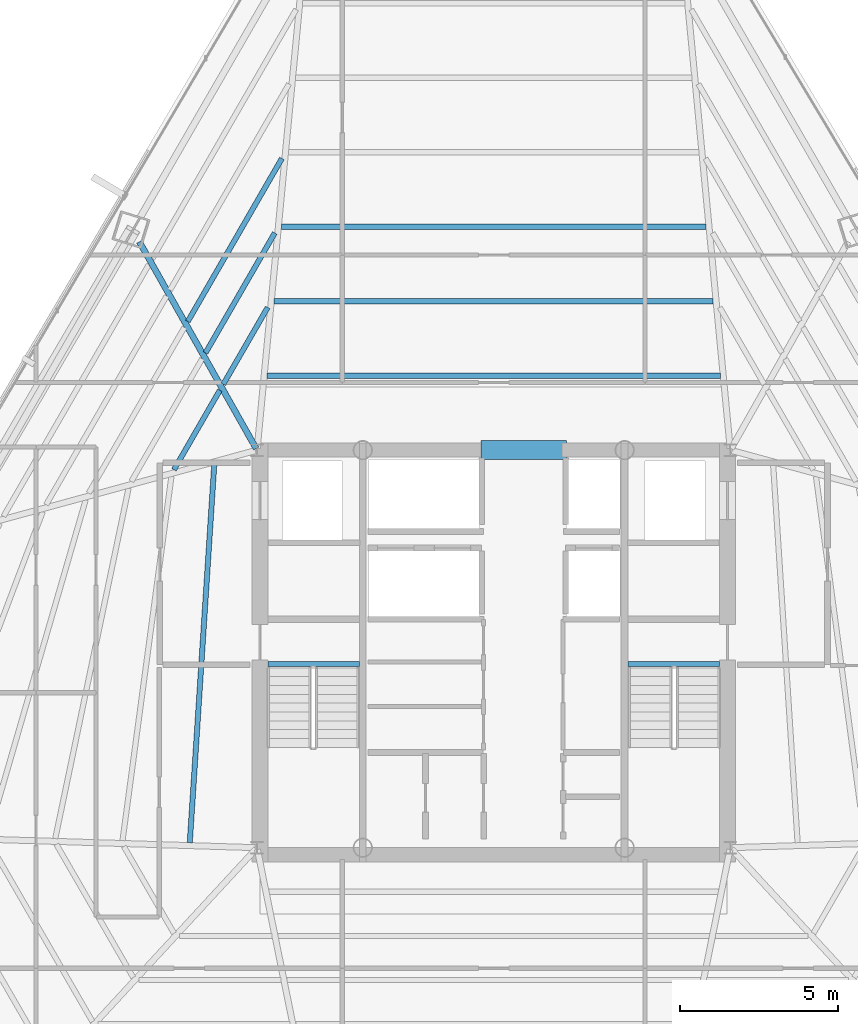
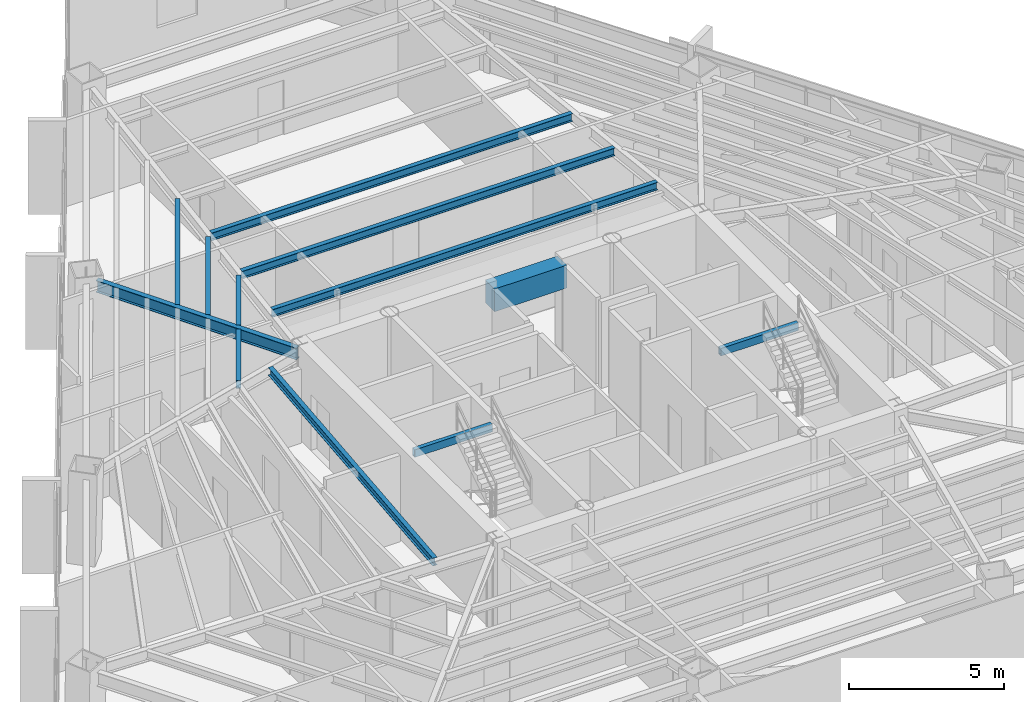
# One storey, part 15 of 41: 12 beams.
"""IFC4 building model written with IfcOpenShell, lengths in metres."""

from ifc_helpers import new_model, si_unit, direction, frame, origin, origin_2d, place, context, subcontext, project, spatial, rectangle, hollow_rectangle, i_section, extrude, source, transform, mapped, material, material_profile, profile_set, type_object, type_shapes, element, save


model = new_model("IFC4")

# Units and contexts
model_context = context("Model", 3, precision=1e-05, world=origin(), true_north=direction((0.0, 1.0)))
body_context = subcontext(model_context, "Body", "Model", "MODEL_VIEW")
ifc_project = project(units=[si_unit("LENGTHUNIT", "METRE"), si_unit("AREAUNIT", "SQUARE_METRE"), si_unit("VOLUMEUNIT", "CUBIC_METRE"), si_unit("PLANEANGLEUNIT", "RADIAN"), si_unit("MASSUNIT", "GRAM", prefix="KILO")], contexts=[model_context])

# Site, building, storey
site_placement = place(None, origin())
site = spatial("IfcSite", under=ifc_project, at=site_placement, CompositionType="ELEMENT")
building_placement = place(site_placement, origin())
building = spatial("IfcBuilding", under=site, at=building_placement, Name="Caelisora Broadcast Tower", CompositionType="ELEMENT")
storey_placement = place(building_placement, frame((0.0, 0.0, 165.800048828125)))
storey = spatial("IfcBuildingStorey", under=building, at=storey_placement, Name="L43", CompositionType="ELEMENT", Elevation=165.800048828125)

# Beams
ifc_material_1 = material(Name="Steel Grade 350 (AS/NZS 1163 C350L0)", Category="steel")
ifc_material_profile_1 = material_profile(ifc_material_1, hollow_rectangle(XDim=0.14990234375, YDim=0.300048828125, WallThickness=0.010009765625, at=origin_2d()), Name="Steel Grade 350 (AS/NZS 1163 C350L0)")
ifc_profile_set_1 = profile_set([ifc_material_profile_1], Name="Steel Grade 350 (AS/NZS 1163 C350L0)")
beam_type_1 = type_object("IfcBeamType", Name="SB05", PredefinedType="JOIST", material=ifc_profile_set_1)
shared_shape_1 = source(origin(), body_context, "Body", "SweptSolid", [
    extrude(hollow_rectangle(XDim=0.14990234375, YDim=0.300048828125, WallThickness=0.010009765625, at=origin_2d()), origin(), (0.0, 0.0, 1.0), 2.89990234375),
])
type_shapes(beam_type_1, [shared_shape_1])
for number, where, z_axis, x_axis, name in (
    (1, (30.840087890625, 23.219970703125, 3.25), (1.0, 0.0, 0.0), (0.0, 1.0, 0.0), "L43 beam SB05"),
    (2, (42.260009765625, 23.219970703125, 3.25), (1.0, 0.0, 0.0), (0.0, 1.0, 0.0), "L43 beam SB05"),
):
    element("IfcBeam", number, at=place(storey_placement, frame(where, z_axis=z_axis, x_axis=x_axis)), inside=storey, type_object=beam_type_1, Name=name, PredefinedType="JOIST", context=body_context, shape_type="MappedRepresentation", body=[
        mapped(shared_shape_1, transform((0.0, 0.0, 0.0), scale=1.0)),
    ])
ifc_material_2 = material(Name="Concrete 50 MPa (AS 3600 S50)", Category="concrete")
ifc_material_profile_2 = material_profile(ifc_material_2, rectangle(XDim=0.60009765625, YDim=0.89990234375, at=origin_2d()), Name="Concrete 50 MPa (AS 3600 S50)")
ifc_profile_set_2 = profile_set([ifc_material_profile_2], Name="Concrete 50 MPa (AS 3600 S50)")
beam_type_2 = type_object("IfcBeamType", Name="CB02", PredefinedType="LINTEL", material=ifc_profile_set_2)
shared_shape_2 = source(origin(), body_context, "Body", "SweptSolid", [
    extrude(rectangle(XDim=0.60009765625, YDim=0.89990234375, at=origin_2d()), origin(), (0.0, 0.0, 1.0), 2.699951171875),
])
type_shapes(beam_type_2, [shared_shape_2])
beam_1_placement = place(storey_placement, frame((37.60009765625, 30.0, 2.949951171875), z_axis=(1.0, 0.0, 0.0), x_axis=(0.0, 1.0, 0.0)))
element("IfcBeam", 3, at=beam_1_placement, inside=storey, type_object=beam_type_2, Name="L43 beam CB02", PredefinedType="LINTEL", context=body_context, shape_type="MappedRepresentation", body=[
    mapped(shared_shape_2, transform((0.0, 0.0, 0.0), scale=1.0)),
])
ifc_material_3 = material(Name="Steel Grade 350 (AS/NZS 3679.1)", Category="steel")
ifc_material_profile_3 = material_profile(ifc_material_3, i_section(OverallWidth=0.19091796875, OverallDepth=0.46044921875, WebThickness=0.010009765625, FlangeThickness=0.01611328125, at=origin_2d()), Name="Steel Grade 350 (AS/NZS 3679.1)")
ifc_profile_set_3 = profile_set([ifc_material_profile_3], Name="Steel Grade 350 (AS/NZS 3679.1)")
beam_type_3 = type_object("IfcBeamType", Name="PG06", PredefinedType="BEAM", material=ifc_profile_set_3)
shared_shape_3 = source(origin(), body_context, "Body", "SweptSolid", [
    extrude(i_section(OverallWidth=0.19091796875, OverallDepth=0.46044921875, WebThickness=0.010009765625, FlangeThickness=0.01611328125, at=origin_2d()), origin(), (0.0, 0.0, 1.0), 7.525634765625),
])
type_shapes(beam_type_3, [shared_shape_3])
beam_2_placement = place(storey_placement, frame((30.470458984375, 30.05224609375, 3.169677734375), z_axis=(-0.491800684378, 0.870707807962, 0.0), x_axis=(-0.870707807962, -0.491800684378, 0.0)))
element("IfcBeam", 4, at=beam_2_placement, inside=storey, type_object=beam_type_3, Name="L43 beam PG06", PredefinedType="BEAM", context=body_context, shape_type="MappedRepresentation", body=[
    mapped(shared_shape_3, transform((0.0, 0.0, 0.0), scale=1.0)),
])
ifc_material_profile_4 = material_profile(ifc_material_3, i_section(OverallWidth=0.166015625, OverallDepth=0.30712890625, WebThickness=0.006591796875, FlangeThickness=0.01171875, at=origin_2d()), Name="Steel Grade 350 (AS/NZS 3679.1)")
ifc_profile_set_4 = profile_set([ifc_material_profile_4], Name="Steel Grade 350 (AS/NZS 3679.1)")
beam_type_4 = type_object("IfcBeamType", Name="SB03", PredefinedType="JOIST", material=ifc_profile_set_4)
shared_shape_4 = source(origin(), body_context, "Body", "SweptSolid", [
    extrude(i_section(OverallWidth=0.166015625, OverallDepth=0.30712890625, WebThickness=0.006591796875, FlangeThickness=0.01171875, at=origin_2d()), origin(), (0.0, 0.0, 1.0), 14.36376953125),
])
beam_3_placement = place(storey_placement, frame((45.181884765625, 32.360107421875, 3.246337890625), z_axis=(-1.0, 0.0, 0.0), x_axis=(0.0, -1.0, 0.0)))
element("IfcBeam", 5, at=beam_3_placement, inside=storey, type_object=beam_type_4, Name="L43 beam SB03", PredefinedType="JOIST", context=body_context, shape_type="MappedRepresentation", body=[
    mapped(shared_shape_4, transform((0.0, 0.0, 0.0), scale=1.0)),
])
shared_shape_5 = source(origin(), body_context, "Body", "SweptSolid", [
    extrude(i_section(OverallWidth=0.166015625, OverallDepth=0.30712890625, WebThickness=0.006591796875, FlangeThickness=0.01171875, at=origin_2d()), origin(), (0.0, 0.0, 1.0), 13.9130859375),
])
beam_4_placement = place(storey_placement, frame((44.95654296875, 34.720458984375, 3.246337890625), z_axis=(-1.0, 0.0, 0.0), x_axis=(0.0, -1.0, 0.0)))
element("IfcBeam", 6, at=beam_4_placement, inside=storey, type_object=beam_type_4, Name="L43 beam SB03", PredefinedType="JOIST", context=body_context, shape_type="MappedRepresentation", body=[
    mapped(shared_shape_5, transform((0.0, 0.0, 0.0), scale=1.0)),
])
shared_shape_6 = source(origin(), body_context, "Body", "SweptSolid", [
    extrude(i_section(OverallWidth=0.166015625, OverallDepth=0.30712890625, WebThickness=0.006591796875, FlangeThickness=0.01171875, at=origin_2d()), origin(), (0.0, 0.0, 1.0), 13.46240234375),
])
beam_5_placement = place(storey_placement, frame((44.731201171875, 37.080810546875, 3.246337890625), z_axis=(-1.0, 0.0, 0.0), x_axis=(0.0, -1.0, 0.0)))
element("IfcBeam", 7, at=beam_5_placement, inside=storey, type_object=beam_type_4, Name="L43 beam SB03", PredefinedType="JOIST", context=body_context, shape_type="MappedRepresentation", body=[
    mapped(shared_shape_6, transform((0.0, 0.0, 0.0), scale=1.0)),
])
shared_shape_7 = source(origin(), body_context, "Body", "SweptSolid", [
    extrude(i_section(OverallWidth=0.166015625, OverallDepth=0.30712890625, WebThickness=0.006591796875, FlangeThickness=0.01171875, at=origin_2d()), origin(), (0.0, 0.0, 1.0), 2.816162109375),
])
beam_6_placement = place(storey_placement, frame((30.837158203125, 34.52392578125, 3.246337890625), z_axis=(-0.500055147301, -0.865993562134, 0.0), x_axis=(0.865993562134, -0.500055147301, 0.0)))
element("IfcBeam", 8, at=beam_6_placement, inside=storey, type_object=beam_type_4, Name="L43 beam SB03", PredefinedType="JOIST", context=body_context, shape_type="MappedRepresentation", body=[
    mapped(shared_shape_7, transform((0.0, 0.0, 0.0), scale=1.0)),
])
shared_shape_8 = source(origin(), body_context, "Body", "SweptSolid", [
    extrude(i_section(OverallWidth=0.166015625, OverallDepth=0.30712890625, WebThickness=0.006591796875, FlangeThickness=0.01171875, at=origin_2d()), origin(), (0.0, 0.0, 1.0), 4.391845703125),
])
beam_7_placement = place(storey_placement, frame((31.0625, 36.88427734375, 3.246337890625), z_axis=(-0.50001918445, -0.866014327354, 0.0), x_axis=(0.866014327354, -0.50001918445, 0.0)))
element("IfcBeam", 9, at=beam_7_placement, inside=storey, type_object=beam_type_4, Name="L43 beam SB03", PredefinedType="JOIST", context=body_context, shape_type="MappedRepresentation", body=[
    mapped(shared_shape_8, transform((0.0, 0.0, 0.0), scale=1.0)),
])
shared_shape_9 = source(origin(), body_context, "Body", "SweptSolid", [
    extrude(i_section(OverallWidth=0.166015625, OverallDepth=0.30712890625, WebThickness=0.006591796875, FlangeThickness=0.01171875, at=origin_2d()), origin(), (0.0, 0.0, 1.0), 5.967041015625),
])
beam_8_placement = place(storey_placement, frame((31.28759765625, 39.244384765625, 3.246337890625), z_axis=(-0.49997627504, -0.866039100963, 0.0), x_axis=(0.866039100963, -0.49997627504, 0.0)))
element("IfcBeam", 10, at=beam_8_placement, inside=storey, type_object=beam_type_4, Name="L43 beam SB03", PredefinedType="JOIST", context=body_context, shape_type="MappedRepresentation", body=[
    mapped(shared_shape_9, transform((0.0, 0.0, 0.0), scale=1.0)),
])
shared_shape_10 = source(origin(), body_context, "Body", "SweptSolid", [
    extrude(i_section(OverallWidth=0.166015625, OverallDepth=0.30712890625, WebThickness=0.006591796875, FlangeThickness=0.01171875, at=origin_2d()), origin(), (0.0, 0.0, 1.0), 2.910400390625),
])
beam_9_placement = place(storey_placement, frame((29.321044921875, 31.898193359375, 3.246337890625), z_axis=(-0.499964504253, -0.866045896294, 0.0), x_axis=(0.866045896294, -0.499964504253, 0.0)))
element("IfcBeam", 11, at=beam_9_placement, inside=storey, type_object=beam_type_4, Name="L43 beam SB03", PredefinedType="JOIST", context=body_context, shape_type="MappedRepresentation", body=[
    mapped(shared_shape_10, transform((0.0, 0.0, 0.0), scale=1.0)),
])
shared_shape_11 = source(origin(), body_context, "Body", "SweptSolid", [
    extrude(i_section(OverallWidth=0.166015625, OverallDepth=0.30712890625, WebThickness=0.006591796875, FlangeThickness=0.01171875, at=origin_2d()), origin(), (0.0, 0.0, 1.0), 11.99951171875),
])
type_shapes(beam_type_4, [shared_shape_4, shared_shape_5, shared_shape_6, shared_shape_7, shared_shape_8, shared_shape_9, shared_shape_10, shared_shape_11])
beam_10_placement = place(storey_placement, frame((29.143310546875, 29.53369140625, 3.246337890625), z_axis=(-0.06461888008, -0.997910016152, 0.0), x_axis=(0.997910016152, -0.06461888008, 0.0)))
element("IfcBeam", 12, at=beam_10_placement, inside=storey, type_object=beam_type_4, Name="L43 beam SB03", PredefinedType="JOIST", context=body_context, shape_type="MappedRepresentation", body=[
    mapped(shared_shape_11, transform((0.0, 0.0, 0.0), scale=1.0)),
])

save(model, "model.ifc")
